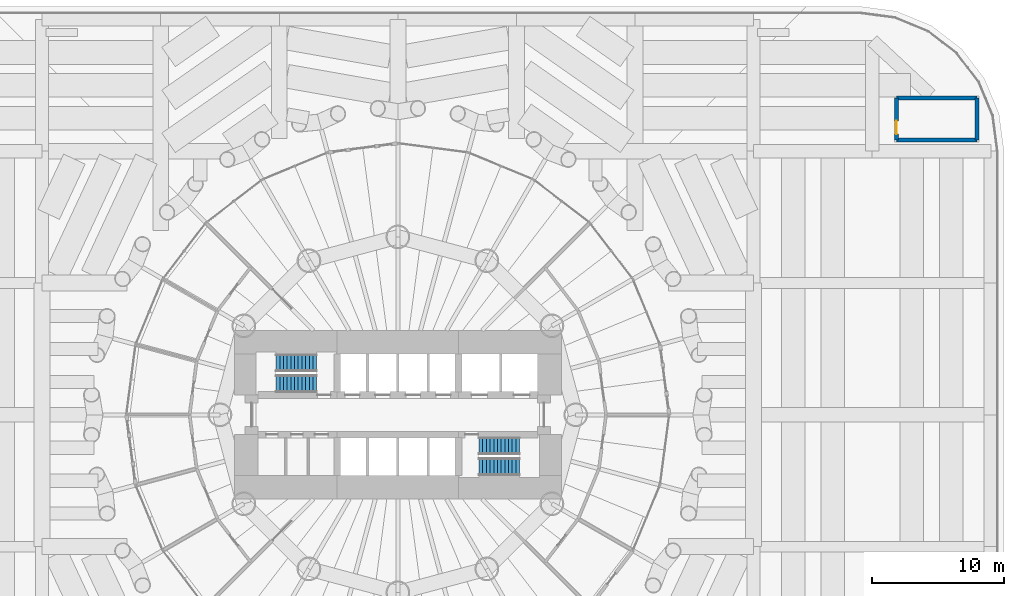
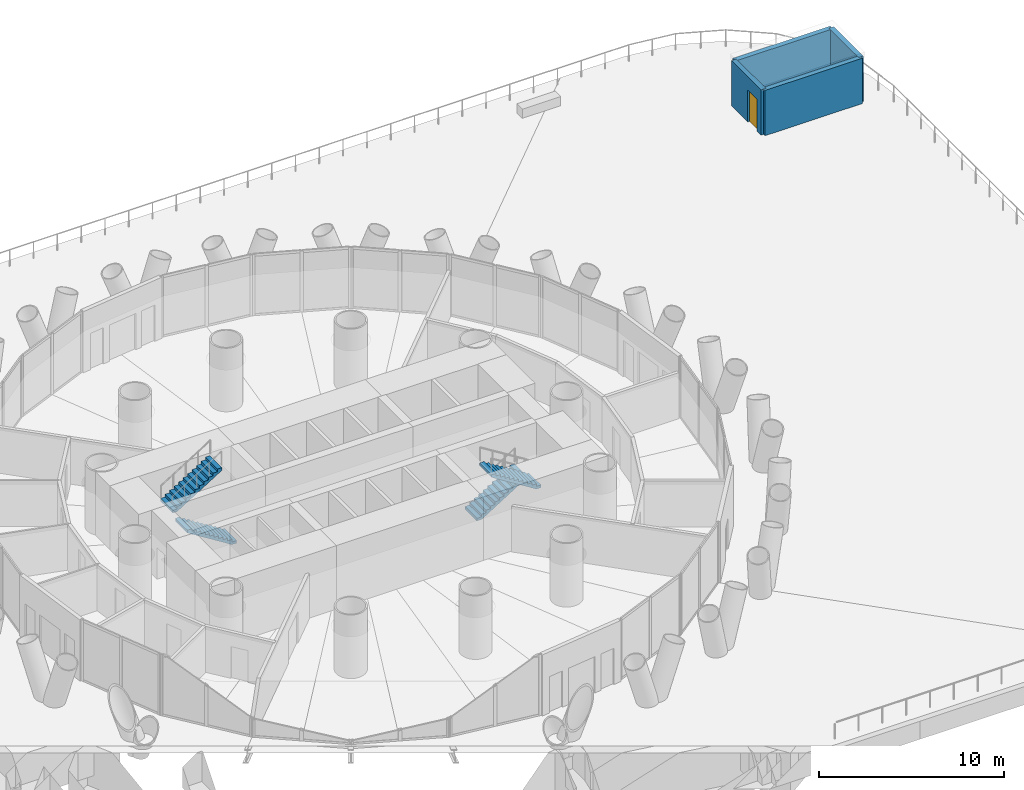
# One storey, part 16 of 19: 4 stair flights, 4 walls, 1 door, 1 opening, 2 elements without a shape of their own.
"""IFC4 building model written with IfcOpenShell, lengths in metres."""

from ifc_helpers import new_model, si_unit, direction, frame, frame_2d, origin, place, context, subcontext, project, spatial, polyline, rectangle, outline, extrude, material, layer, layer_set, type_object, element, fill, aggregate, save


model = new_model("IFC4")

# Units and contexts
model_context = context("Model", 3, precision=1e-05, world=origin(), true_north=direction((0.0, 1.0)))
body_context = subcontext(model_context, "Body", "Model", "MODEL_VIEW")
ifc_project = project(units=[si_unit("LENGTHUNIT", "METRE"), si_unit("AREAUNIT", "SQUARE_METRE"), si_unit("VOLUMEUNIT", "CUBIC_METRE"), si_unit("PLANEANGLEUNIT", "RADIAN"), si_unit("MASSUNIT", "GRAM", prefix="KILO")], contexts=[model_context])

# Site, building, storey
site_placement = place(None, origin())
site = spatial("IfcSite", under=ifc_project, at=site_placement, CompositionType="ELEMENT")
building_placement = place(site_placement, origin())
building = spatial("IfcBuilding", under=site, at=building_placement, Name="Qaws Media Tower", CompositionType="ELEMENT")
storey_placement = place(building_placement, frame((0.0, 0.0, 26.0)))
storey = spatial("IfcBuildingStorey", under=building, at=storey_placement, Name="L04", CompositionType="ELEMENT", Elevation=26.0)

# Walls
ifc_material_1 = material(Name="Concrete C60/75", Category="concrete")
ifc_layer = layer(ifc_material_1, 0.300048828125)
ifc_layer_set = layer_set([ifc_layer], Name="Stair enclosure wall 300")
wall_type = type_object("IfcWallType", Name="Stair enclosure wall 300", PredefinedType="SHEAR", material=ifc_layer_set)
for number, where, z_axis, x_axis, name in (
    (1, (97.85009765625, 70.85009765625, 0.0), (0.0, 0.0, 1.0), (1.0, 0.0, 0.0), "W1895 SW7 stair S4 enclosure S L04"),
    (2, (97.85009765625, 74.050048828125, 0.0), (0.0, 0.0, 1.0), (1.0, 0.0, 0.0), "W1896 SW7 stair S4 enclosure N L04"),
):
    element("IfcWall", number, at=place(storey_placement, frame(where, z_axis=z_axis, x_axis=x_axis)), inside=storey, type_object=wall_type, Name=name, PredefinedType="SHEAR", context=body_context, shape_type="SweptSolid", body=[
        extrude(rectangle(XDim=6.099853515625, YDim=0.300048828125, at=frame_2d((3.0498046875, 0.0))), origin(), (0.0, 0.0, 1.0), 3.0),
    ])

# Wall, opening, door
wall_1_placement = place(storey_placement, frame((97.85009765625, 70.85009765625, 0.0), z_axis=(0.0, 0.0, 1.0), x_axis=(0.0, 1.0, 0.0)))
wall_1 = element("IfcWall", 3, at=wall_1_placement, inside=storey, type_object=wall_type, Name="W1894 SW7 stair S4 enclosure W L04", PredefinedType="SHEAR", context=body_context, shape_type="SweptSolid", body=[
    extrude(rectangle(XDim=3.199951171875, YDim=0.300048828125, at=frame_2d((1.60009765625, 0.0))), origin(), (0.0, 0.0, 1.0), 3.0),
])
opening_placement = place(wall_1_placement, frame((0.449951171875, 0.0, 0.0)))
opening = element("IfcOpeningElement", 4, at=opening_placement, cuts=wall_1, Name="Opening D11", PredefinedType="OPENING", context=body_context, shape_type="SweptSolid", body=[
    extrude(rectangle(XDim=1.0, YDim=2.10009765625, at=frame_2d((0.5, 1.050048828125))), frame((0.0, 0.159912109375, 0.0), z_axis=(0.0, -1.0, 0.0), x_axis=(1.0, 0.0, 0.0)), (0.0, 0.0, 1.0), 0.320068359375),
])
ifc_material_2 = material(Name="Steel, weatherproof, fire rated", Category="steel")
door_type = type_object("IfcDoorType", Name="Head-house door 1000", OperationType="SINGLE_SWING_LEFT", PredefinedType="DOOR", material=ifc_material_2)
door_placement = place(opening_placement, origin())
door = element("IfcDoor", 5, at=door_placement, inside=storey, type_object=door_type, Name="D11 stair S4 door L04 in wall W1894", OperationType="SINGLE_SWING_LEFT", OverallHeight=2.10009765625, OverallWidth=1.0, PredefinedType="DOOR", context=body_context, shape_type="SweptSolid", body=[
    extrude(rectangle(XDim=1.0, YDim=2.10009765625, at=frame_2d((0.5, 1.050048828125))), frame((0.0, 0.02490234375, 0.0), z_axis=(0.0, -1.0, 0.0), x_axis=(1.0, 0.0, 0.0)), (0.0, 0.0, 1.0), 0.050048828125),
])
fill(opening, door)

# Wall
wall_2_placement = place(storey_placement, frame((103.949951171875, 70.85009765625, 0.0), z_axis=(0.0, 0.0, 1.0), x_axis=(0.0, 1.0, 0.0)))
element("IfcWall", 6, at=wall_2_placement, inside=storey, type_object=wall_type, Name="W1897 SW7 stair S4 enclosure E L04", PredefinedType="SHEAR", context=body_context, shape_type="SweptSolid", body=[
    extrude(rectangle(XDim=3.199951171875, YDim=0.300048828125, at=frame_2d((1.60009765625, 0.0))), origin(), (0.0, 0.0, 1.0), 3.0),
])

# Stair, stair flights
ifc_material_3 = material(Name="Concrete C40/50", Category="concrete")
stair_type = type_object("IfcStairType", Name="Exit stair", PredefinedType="HALF_TURN_STAIR", material=ifc_material_3)
stair_1_placement = place(storey_placement, origin())
stair_1 = element("IfcStair", 7, at=stair_1_placement, inside=storey, type_object=stair_type, Name="S1 exit stair L04", PredefinedType="HALF_TURN_STAIR")
ifc_material_4 = material(Name="Concrete C40/50", Category="concrete")
stair_flight_type = type_object("IfcStairFlightType", Name="Stair flight 1310", PredefinedType="STRAIGHT", material=ifc_material_4)
stair_flight_1_placement = place(storey_placement, frame((53.840087890625, 52.35498046875, 0.0), z_axis=(0.0, 0.0, 1.0), x_axis=(-1.0, 0.0, 0.0)))
stair_flight_1 = element("IfcStairFlight", 8, at=stair_flight_1_placement, type_object=stair_flight_type, Name="S1 flight 1", NumberOfRisers=12, NumberOfTreads=11, PredefinedType="STRAIGHT", RiserHeight=0.175, TreadLength=0.28, context=body_context, shape_type="SweptSolid", body=[
    extrude(outline(polyline([(0.0, 0.0), (0.0, 0.175048828125), (0.280029296875, 0.175048828125), (0.280029296875, 0.35009765625), (0.56005859375, 0.35009765625), (0.56005859375, 0.52490234375), (0.840087890625, 0.52490234375), (0.840087890625, 0.699951171875), (1.1201171875, 0.699951171875), (1.1201171875, 0.875), (1.39990234375, 0.875), (1.39990234375, 1.050048828125), (1.679931640625, 1.050048828125), (1.679931640625, 1.22509765625), (1.9599609375, 1.22509765625), (1.9599609375, 1.39990234375), (2.239990234375, 1.39990234375), (2.239990234375, 1.574951171875), (2.52001953125, 1.574951171875), (2.52001953125, 1.75), (2.800048828125, 1.75), (2.800048828125, 1.925048828125), (3.080078125, 1.925048828125), (3.080078125, 2.10009765625), (3.080078125, 1.748291015625), (0.28271484375, 0.0), (0.0, 0.0)])), frame((0.0, 0.655029296875, 0.0), z_axis=(0.0, -1.0, 0.0), x_axis=(1.0, 0.0, 0.0)), (0.0, 0.0, 1.0), 1.31005859375),
])
stair_flight_2_placement = place(storey_placement, frame((50.760009765625, 53.945068359375, 2.10009765625), z_axis=(0.0, 0.0, 1.0), x_axis=(1.0, 0.0, 0.0)))
stair_flight_2 = element("IfcStairFlight", 9, at=stair_flight_2_placement, type_object=stair_flight_type, Name="S1 flight 2", NumberOfRisers=12, NumberOfTreads=11, PredefinedType="STRAIGHT", RiserHeight=0.175, TreadLength=0.28, context=body_context, shape_type="SweptSolid", body=[
    extrude(outline(polyline([(0.0, 0.0), (0.0, 0.175048828125), (0.280029296875, 0.175048828125), (0.280029296875, 0.35009765625), (0.56005859375, 0.35009765625), (0.56005859375, 0.52490234375), (0.840087890625, 0.52490234375), (0.840087890625, 0.699951171875), (1.1201171875, 0.699951171875), (1.1201171875, 0.875), (1.39990234375, 0.875), (1.39990234375, 1.050048828125), (1.679931640625, 1.050048828125), (1.679931640625, 1.22509765625), (1.9599609375, 1.22509765625), (1.9599609375, 1.39990234375), (2.239990234375, 1.39990234375), (2.239990234375, 1.574951171875), (2.52001953125, 1.574951171875), (2.52001953125, 1.75), (2.800048828125, 1.75), (2.800048828125, 1.925048828125), (3.080078125, 1.925048828125), (3.080078125, 2.10009765625), (3.080078125, 1.748291015625), (0.28271484375, 0.0), (0.0, 0.0)])), frame((0.0, 0.655029296875, 0.0), z_axis=(0.0, -1.0, 0.0), x_axis=(1.0, 0.0, 0.0)), (0.0, 0.0, 1.0), 1.31005859375),
])
aggregate(stair_1, [stair_flight_1, stair_flight_2])

stair_2_placement = place(storey_placement, origin())
stair_2 = element("IfcStair", 10, at=stair_2_placement, inside=storey, type_object=stair_type, Name="S2 exit stair L04", PredefinedType="HALF_TURN_STAIR")
stair_flight_3_placement = place(storey_placement, frame((66.159912109375, 47.64501953125, 0.0), z_axis=(0.0, 0.0, 1.0), x_axis=(1.0, 0.0, 0.0)))
stair_flight_3 = element("IfcStairFlight", 11, at=stair_flight_3_placement, type_object=stair_flight_type, Name="S2 flight 1", NumberOfRisers=12, NumberOfTreads=11, PredefinedType="STRAIGHT", RiserHeight=0.175, TreadLength=0.28, context=body_context, shape_type="SweptSolid", body=[
    extrude(outline(polyline([(0.0, 0.0), (0.0, 0.175048828125), (0.280029296875, 0.175048828125), (0.280029296875, 0.35009765625), (0.56005859375, 0.35009765625), (0.56005859375, 0.52490234375), (0.840087890625, 0.52490234375), (0.840087890625, 0.699951171875), (1.1201171875, 0.699951171875), (1.1201171875, 0.875), (1.39990234375, 0.875), (1.39990234375, 1.050048828125), (1.679931640625, 1.050048828125), (1.679931640625, 1.22509765625), (1.9599609375, 1.22509765625), (1.9599609375, 1.39990234375), (2.239990234375, 1.39990234375), (2.239990234375, 1.574951171875), (2.52001953125, 1.574951171875), (2.52001953125, 1.75), (2.800048828125, 1.75), (2.800048828125, 1.925048828125), (3.080078125, 1.925048828125), (3.080078125, 2.10009765625), (3.080078125, 1.748291015625), (0.28271484375, 0.0), (0.0, 0.0)])), frame((0.0, 0.655029296875, 0.0), z_axis=(0.0, -1.0, 0.0), x_axis=(1.0, 0.0, 0.0)), (0.0, 0.0, 1.0), 1.31005859375),
])
stair_flight_4_placement = place(storey_placement, frame((69.239990234375, 46.054931640625, 2.10009765625), z_axis=(0.0, 0.0, 1.0), x_axis=(-1.0, 0.0, 0.0)))
stair_flight_4 = element("IfcStairFlight", 12, at=stair_flight_4_placement, type_object=stair_flight_type, Name="S2 flight 2", NumberOfRisers=12, NumberOfTreads=11, PredefinedType="STRAIGHT", RiserHeight=0.175, TreadLength=0.28, context=body_context, shape_type="SweptSolid", body=[
    extrude(outline(polyline([(0.0, 0.0), (0.0, 0.175048828125), (0.280029296875, 0.175048828125), (0.280029296875, 0.35009765625), (0.56005859375, 0.35009765625), (0.56005859375, 0.52490234375), (0.840087890625, 0.52490234375), (0.840087890625, 0.699951171875), (1.1201171875, 0.699951171875), (1.1201171875, 0.875), (1.39990234375, 0.875), (1.39990234375, 1.050048828125), (1.679931640625, 1.050048828125), (1.679931640625, 1.22509765625), (1.9599609375, 1.22509765625), (1.9599609375, 1.39990234375), (2.239990234375, 1.39990234375), (2.239990234375, 1.574951171875), (2.52001953125, 1.574951171875), (2.52001953125, 1.75), (2.800048828125, 1.75), (2.800048828125, 1.925048828125), (3.080078125, 1.925048828125), (3.080078125, 2.10009765625), (3.080078125, 1.748291015625), (0.28271484375, 0.0), (0.0, 0.0)])), frame((0.0, 0.655029296875, 0.0), z_axis=(0.0, -1.0, 0.0), x_axis=(1.0, 0.0, 0.0)), (0.0, 0.0, 1.0), 1.31005859375),
])
aggregate(stair_2, [stair_flight_3, stair_flight_4])

save(model, "model.ifc")
